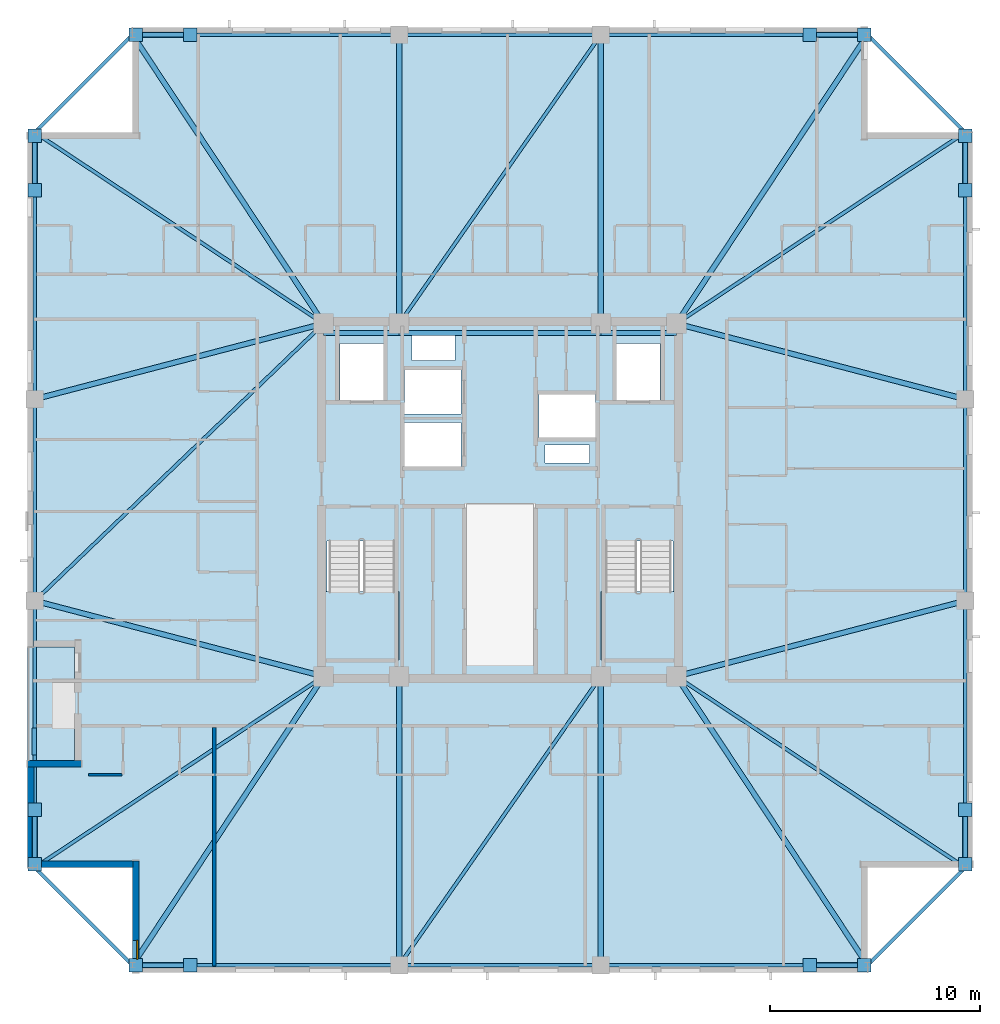
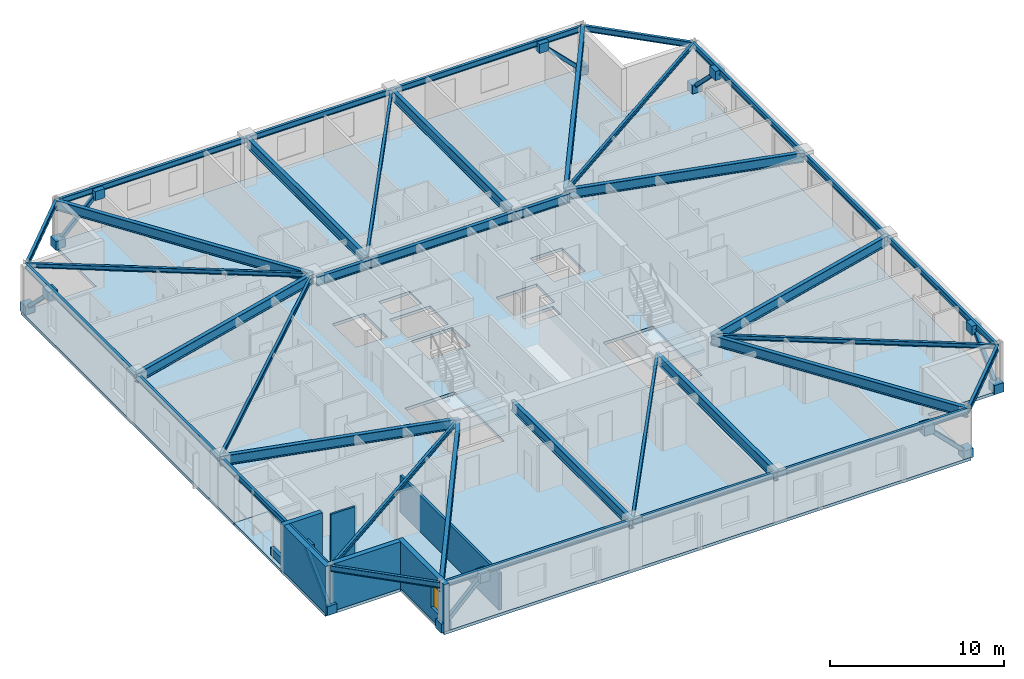
# One storey, part 6 of 17: 38 beams, 16 plates, 8 members, 7 walls, 4 slabs, 1 window, 1 opening, 2 elements without a shape of their own.
"""IFC4 building model written with IfcOpenShell, lengths in metres."""

from ifc_helpers import new_model, si_unit, direction, frame, frame_2d, origin, origin_2d, place, context, subcontext, project, spatial, polyline, rectangle, hollow_rectangle, i_section, outline, extrude, material, layer, layer_set, material_profile, profile_set, type_object, element, fill, aggregate, save


model = new_model("IFC4")

# Units and contexts
model_context = context("Model", 3, precision=1e-05, world=origin(), true_north=direction((0.0, 1.0)))
body_context = subcontext(model_context, "Body", "Model", "MODEL_VIEW")
ifc_project = project(units=[si_unit("LENGTHUNIT", "METRE"), si_unit("AREAUNIT", "SQUARE_METRE"), si_unit("VOLUMEUNIT", "CUBIC_METRE"), si_unit("PLANEANGLEUNIT", "RADIAN"), si_unit("MASSUNIT", "GRAM", prefix="KILO")], contexts=[model_context])

# Site, building, storey
site_placement = place(None, origin())
site = spatial("IfcSite", under=ifc_project, at=site_placement, CompositionType="ELEMENT")
building_placement = place(site_placement, origin())
building = spatial("IfcBuilding", under=site, at=building_placement, Name="Cairnveth Concourse Tower", CompositionType="ELEMENT")
storey_placement = place(building_placement, frame((0.0, 0.0, 248.0)))
storey = spatial("IfcBuildingStorey", under=building, at=storey_placement, Name="L68", CompositionType="ELEMENT", Elevation=248.0)

# Beams
ifc_material_1 = material(Name="Steel Grade 350", Category="steel")
ifc_material_profile_1 = material_profile(ifc_material_1, i_section(OverallWidth=0.22802734375, OverallDepth=0.60693359375, WebThickness=0.01123046875, FlangeThickness=0.017333984375, FilletRadius=0.013916015625, at=origin_2d()), Name="610UB113")
ifc_profile_set_1 = profile_set([ifc_material_profile_1], Name="Steel Grade 350")
beam_type_1 = type_object("IfcBeamType", Name="CORE TIE BEAM 610UB113", PredefinedType="T_BEAM", material=ifc_profile_set_1)
for number, where, z_axis, x_axis, name in (
    (1, (43.60009765625, 46.949951171875, 2.986572265625), (1.0, 0.0, 0.0), (0.0, 1.0, 0.0), "Beam CT-N1 L68"),
    (2, (56.800048828125, 46.949951171875, 2.986572265625), (1.0, 0.0, 0.0), (0.0, 1.0, 0.0), "Beam CT-N3 L68"),
):
    element("IfcBeam", number, at=place(storey_placement, frame(where, z_axis=z_axis, x_axis=x_axis)), inside=storey, type_object=beam_type_1, Name=name, PredefinedType="T_BEAM", context=body_context, shape_type="SweptSolid", body=[
        extrude(i_section(OverallWidth=0.22802734375, OverallDepth=0.60693359375, WebThickness=0.01123046875, FlangeThickness=0.017333984375, FilletRadius=0.013916015625, at=origin_2d()), origin(), (0.0, 0.0, 1.0), 3.599853515625),
    ])
beam_1_placement = place(storey_placement, frame((47.199951171875, 46.949951171875, 2.986572265625), z_axis=(1.0, 0.0, 0.0), x_axis=(0.0, 1.0, 0.0)))
element("IfcBeam", 3, at=beam_1_placement, inside=storey, type_object=beam_type_1, Name="Beam CT-N2 L68", PredefinedType="T_BEAM", context=body_context, shape_type="SweptSolid", body=[
    extrude(i_section(OverallWidth=0.22802734375, OverallDepth=0.60693359375, WebThickness=0.01123046875, FlangeThickness=0.017333984375, FilletRadius=0.013916015625, at=origin_2d()), origin(), (0.0, 0.0, 1.0), 9.60009765625),
])
ifc_material_profile_2 = material_profile(ifc_material_1, i_section(OverallWidth=0.166015625, OverallDepth=0.306884765625, WebThickness=0.006591796875, FlangeThickness=0.01171875, FilletRadius=0.010986328125, at=origin_2d()), Name="310UB46.2")
ifc_profile_set_2 = profile_set([ifc_material_profile_2], Name="Steel Grade 350")
beam_type_2 = type_object("IfcBeamType", Name="ZONE 3 FLOOR JOIST 310UB46.2", PredefinedType="JOIST", material=ifc_profile_set_2)
for number, where, z_axis, x_axis, name in (
    (4, (29.85009765625, 21.5, 3.136474609375), (0.833908956207, 0.551902031848, 0.0), (-0.551902031848, 0.833908956207, 0.0), "Beam FJ-CSW2 L68"),
    (5, (74.14990234375, 21.5, 3.136474609375), (-0.833908956207, 0.551902031848, 0.0), (-0.551902031848, -0.833908956207, 0.0), "Beam FJ-CSE2 L68"),
    (6, (74.14990234375, 56.5, 3.136474609375), (-0.833908956207, -0.551902031848, 0.0), (0.551902031848, -0.833908956207, 0.0), "Beam FJ-CNE2 L68"),
    (7, (29.85009765625, 56.5, 3.136474609375), (0.833908956207, -0.551902031848, 0.0), (0.551902031848, 0.833908956207, 0.0), "Beam FJ-CNW2 L68"),
):
    element("IfcBeam", number, at=place(storey_placement, frame(where, z_axis=z_axis, x_axis=x_axis)), inside=storey, type_object=beam_type_2, Name=name, PredefinedType="JOIST", context=body_context, shape_type="SweptSolid", body=[
        extrude(i_section(OverallWidth=0.166015625, OverallDepth=0.306884765625, WebThickness=0.006591796875, FlangeThickness=0.01171875, FilletRadius=0.010986328125, at=origin_2d()), origin(), (0.0, 0.0, 1.0), 16.488525390625),
    ])
for number, where, z_axis, x_axis, name in (
    (8, (47.199951171875, 16.85009765625, 3.136474609375), (0.572465304893, 0.819928944905, 0.0), (-0.819928944905, 0.572465304893, 0.0), "Beam FJ-S-M1 L68"),
    (9, (47.199951171875, 47.39990234375, 3.136474609375), (0.572465304893, 0.819928944905, 0.0), (-0.819928944905, 0.572465304893, 0.0), "Beam FJ-N-M1 L68"),
):
    element("IfcBeam", number, at=place(storey_placement, frame(where, z_axis=z_axis, x_axis=x_axis)), inside=storey, type_object=beam_type_2, Name=name, PredefinedType="JOIST", context=body_context, shape_type="SweptSolid", body=[
        extrude(i_section(OverallWidth=0.166015625, OverallDepth=0.306884765625, WebThickness=0.006591796875, FlangeThickness=0.01171875, FilletRadius=0.010986328125, at=origin_2d()), origin(), (0.0, 0.0, 1.0), 16.769775390625),
    ])
beam_2_placement = place(storey_placement, frame((29.85009765625, 34.199951171875, 3.136474609375), z_axis=(0.721388600838, 0.692530495055, 0.0), x_axis=(-0.692530495055, 0.721388600838, 0.0)))
element("IfcBeam", 10, at=beam_2_placement, inside=storey, type_object=beam_type_2, Name="Beam FJ-W-M1 L68", PredefinedType="JOIST", context=body_context, shape_type="SweptSolid", body=[
    extrude(i_section(OverallWidth=0.166015625, OverallDepth=0.306884765625, WebThickness=0.006591796875, FlangeThickness=0.01171875, FilletRadius=0.010986328125, at=origin_2d()), origin(), (0.0, 0.0, 1.0), 19.060546875),
])

# Members
ifc_material_2 = material(Name="Steel C350L0 (350 MPa)", Category="steel")
ifc_material_profile_3 = material_profile(ifc_material_2, hollow_rectangle(XDim=0.25, YDim=0.25, WallThickness=0.012451171875, InnerFilletRadius=0.012939453125, OuterFilletRadius=0.02490234375, at=origin_2d()), Name="250x250x12.5SHS")
ifc_profile_set_3 = profile_set([ifc_material_profile_3], Name="Steel C350L0 (350 MPa)")
member_type = type_object("IfcMemberType", Name="ZONE 3 PIER BRACE 250X250X12.5SHS", PredefinedType="BRACE", material=ifc_profile_set_3)
for number, where, z_axis, x_axis, name in (
    (11, (34.64990234375, 16.85009765625, 0.25), (0.708469186186, 0.0, 0.705741746126), (0.0, 1.0, 0.0), "Structural Brace PB-S1 L68"),
    (12, (69.35009765625, 16.85009765625, 0.25), (-0.708469186186, 0.0, 0.705741746126), (0.0, -1.0, 0.0), "Structural Brace PB-S2 L68"),
    (13, (34.64990234375, 61.14990234375, 0.25), (0.708469186186, 0.0, 0.705741746126), (0.0, 1.0, 0.0), "Structural Brace PB-N1 L68"),
    (14, (69.35009765625, 61.14990234375, 0.25), (-0.708469186186, 0.0, 0.705741746126), (0.0, -1.0, 0.0), "Structural Brace PB-N2 L68"),
    (15, (29.85009765625, 21.64990234375, 0.25), (0.0, 0.708469186186, 0.705741746126), (-1.0, 0.0, 0.0), "Structural Brace PB-W1 L68"),
    (16, (29.85009765625, 56.35009765625, 0.25), (0.0, -0.708469186186, 0.705741746126), (1.0, 0.0, 0.0), "Structural Brace PB-W2 L68"),
    (17, (74.14990234375, 21.64990234375, 0.25), (0.0, 0.708469186186, 0.705741746126), (-1.0, 0.0, 0.0), "Structural Brace PB-E1 L68"),
    (18, (74.14990234375, 56.35009765625, 0.25), (0.0, -0.708469186186, 0.705741746126), (1.0, 0.0, 0.0), "Structural Brace PB-E2 L68"),
):
    element("IfcMember", number, at=place(storey_placement, frame(where, z_axis=z_axis, x_axis=x_axis)), inside=storey, type_object=member_type, Name=name, PredefinedType="BRACE", context=body_context, shape_type="SweptSolid", body=[
        extrude(hollow_rectangle(XDim=0.25, YDim=0.25, WallThickness=0.012451171875, InnerFilletRadius=0.012939453125, OuterFilletRadius=0.02490234375, at=origin_2d()), origin(), (0.0, 0.0, 1.0), 3.669921875),
    ])

# Beams
ifc_material_profile_4 = material_profile(ifc_material_1, i_section(OverallWidth=0.25, OverallDepth=0.69189453125, WebThickness=0.010009765625, FlangeThickness=0.02490234375, at=origin_2d()), Name="700WB150")
ifc_profile_set_4 = profile_set([ifc_material_profile_4], Name="Steel Grade 350")
beam_type_3 = type_object("IfcBeamType", Name="ZONE 3 RADIAL GIRDER 700WB150", PredefinedType="BEAM", material=ifc_profile_set_4)
for number, where, z_axis, x_axis, name in (
    (19, (47.199951171875, 16.85009765625, 2.944091796875), (0.0, 1.0, 0.0), (-1.0, 0.0, 0.0), "Beam RG-S1 L68"),
    (20, (56.800048828125, 16.85009765625, 2.944091796875), (0.0, 1.0, 0.0), (-1.0, 0.0, 0.0), "Beam RG-S2 L68"),
    (21, (47.199951171875, 47.39990234375, 2.944091796875), (0.0, 1.0, 0.0), (-1.0, 0.0, 0.0), "Beam RG-N1 L68"),
    (22, (56.800048828125, 47.39990234375, 2.944091796875), (0.0, 1.0, 0.0), (-1.0, 0.0, 0.0), "Beam RG-N2 L68"),
):
    element("IfcBeam", number, at=place(storey_placement, frame(where, z_axis=z_axis, x_axis=x_axis)), inside=storey, type_object=beam_type_3, Name=name, PredefinedType="BEAM", context=body_context, shape_type="SweptSolid", body=[
        extrude(i_section(OverallWidth=0.25, OverallDepth=0.69189453125, WebThickness=0.010009765625, FlangeThickness=0.02490234375, at=origin_2d()), origin(), (0.0, 0.0, 1.0), 13.75),
    ])
for number, where, z_axis, x_axis, name in (
    (23, (29.85009765625, 34.199951171875, 2.944091796875), (0.967395273598, -0.253271365575, 0.0), (0.253271365575, 0.967395273598, 0.0), "Beam RG-W1 L68"),
    (24, (29.85009765625, 43.800048828125, 2.944091796875), (0.967395273598, 0.253271365575, 0.0), (-0.253271365575, 0.967395273598, 0.0), "Beam RG-W2 L68"),
    (25, (60.39990234375, 30.60009765625, 2.944091796875), (0.967395273598, 0.253271365575, 0.0), (-0.253271365575, 0.967395273598, 0.0), "Beam RG-E1 L68"),
    (26, (60.39990234375, 47.39990234375, 2.944091796875), (0.967395273598, -0.253271365575, 0.0), (0.253271365575, 0.967395273598, 0.0), "Beam RG-E2 L68"),
):
    element("IfcBeam", number, at=place(storey_placement, frame(where, z_axis=z_axis, x_axis=x_axis)), inside=storey, type_object=beam_type_3, Name=name, PredefinedType="BEAM", context=body_context, shape_type="SweptSolid", body=[
        extrude(i_section(OverallWidth=0.25, OverallDepth=0.69189453125, WebThickness=0.010009765625, FlangeThickness=0.02490234375, at=origin_2d()), origin(), (0.0, 0.0, 1.0), 14.21337890625),
    ])
for number, where, z_axis, x_axis, name in (
    (27, (34.5, 16.85009765625, 2.944091796875), (0.551902031848, 0.833908956207, 0.0), (-0.833908956207, 0.551902031848, 0.0), "Beam RG-CSW L68"),
    (28, (69.5, 16.85009765625, 2.944091796875), (-0.551902031848, 0.833908956207, 0.0), (-0.833908956207, -0.551902031848, 0.0), "Beam RG-CSE L68"),
    (29, (69.5, 61.14990234375, 2.944091796875), (-0.551902031848, -0.833908956207, 0.0), (0.833908956207, -0.551902031848, 0.0), "Beam RG-CNE L68"),
    (30, (34.5, 61.14990234375, 2.944091796875), (0.551902031848, -0.833908956207, 0.0), (0.833908956207, 0.551902031848, 0.0), "Beam RG-CNW L68"),
):
    element("IfcBeam", number, at=place(storey_placement, frame(where, z_axis=z_axis, x_axis=x_axis)), inside=storey, type_object=beam_type_3, Name=name, PredefinedType="BEAM", context=body_context, shape_type="SweptSolid", body=[
        extrude(i_section(OverallWidth=0.25, OverallDepth=0.69189453125, WebThickness=0.010009765625, FlangeThickness=0.02490234375, at=origin_2d()), origin(), (0.0, 0.0, 1.0), 16.488525390625),
    ])
ifc_material_profile_5 = material_profile(ifc_material_1, i_section(OverallWidth=0.177978515625, OverallDepth=0.406005859375, WebThickness=0.0078125, FlangeThickness=0.0126953125, FilletRadius=0.010986328125, at=origin_2d()), Name="410UB59.7")
ifc_profile_set_5 = profile_set([ifc_material_profile_5], Name="Steel Grade 350")
beam_type_4 = type_object("IfcBeamType", Name="ZONE 3 SPANDREL BEAM 410UB59.7", PredefinedType="SPANDREL", material=ifc_profile_set_5)
beam_3_placement = place(storey_placement, frame((34.5, 16.85009765625, 3.0869140625), z_axis=(1.0, 0.0, 0.0), x_axis=(0.0, 1.0, 0.0)))
element("IfcBeam", 31, at=beam_3_placement, inside=storey, type_object=beam_type_4, Name="Beam SP-S1 L68", PredefinedType="SPANDREL", context=body_context, shape_type="SweptSolid", body=[
    extrude(i_section(OverallWidth=0.177978515625, OverallDepth=0.406005859375, WebThickness=0.0078125, FlangeThickness=0.0126953125, FilletRadius=0.010986328125, at=origin_2d()), origin(), (0.0, 0.0, 1.0), 12.699951171875),
])
beam_4_placement = place(storey_placement, frame((47.199951171875, 16.85009765625, 3.0869140625), z_axis=(1.0, 0.0, 0.0), x_axis=(0.0, 1.0, 0.0)))
element("IfcBeam", 32, at=beam_4_placement, inside=storey, type_object=beam_type_4, Name="Beam SP-S2 L68", PredefinedType="SPANDREL", context=body_context, shape_type="SweptSolid", body=[
    extrude(i_section(OverallWidth=0.177978515625, OverallDepth=0.406005859375, WebThickness=0.0078125, FlangeThickness=0.0126953125, FilletRadius=0.010986328125, at=origin_2d()), origin(), (0.0, 0.0, 1.0), 9.60009765625),
])
for number, where, z_axis, x_axis, name in (
    (33, (56.800048828125, 16.85009765625, 3.0869140625), (1.0, 0.0, 0.0), (0.0, 1.0, 0.0), "Beam SP-S3 L68"),
    (34, (34.5, 61.14990234375, 3.0869140625), (1.0, 0.0, 0.0), (0.0, 1.0, 0.0), "Beam SP-N1 L68"),
):
    element("IfcBeam", number, at=place(storey_placement, frame(where, z_axis=z_axis, x_axis=x_axis)), inside=storey, type_object=beam_type_4, Name=name, PredefinedType="SPANDREL", context=body_context, shape_type="SweptSolid", body=[
        extrude(i_section(OverallWidth=0.177978515625, OverallDepth=0.406005859375, WebThickness=0.0078125, FlangeThickness=0.0126953125, FilletRadius=0.010986328125, at=origin_2d()), origin(), (0.0, 0.0, 1.0), 12.699951171875),
    ])
beam_5_placement = place(storey_placement, frame((47.199951171875, 61.14990234375, 3.0869140625), z_axis=(1.0, 0.0, 0.0), x_axis=(0.0, 1.0, 0.0)))
element("IfcBeam", 35, at=beam_5_placement, inside=storey, type_object=beam_type_4, Name="Beam SP-N2 L68", PredefinedType="SPANDREL", context=body_context, shape_type="SweptSolid", body=[
    extrude(i_section(OverallWidth=0.177978515625, OverallDepth=0.406005859375, WebThickness=0.0078125, FlangeThickness=0.0126953125, FilletRadius=0.010986328125, at=origin_2d()), origin(), (0.0, 0.0, 1.0), 9.60009765625),
])
for number, where, z_axis, x_axis, name in (
    (36, (56.800048828125, 61.14990234375, 3.0869140625), (1.0, 0.0, 0.0), (0.0, 1.0, 0.0), "Beam SP-N3 L68"),
    (37, (29.85009765625, 21.5, 3.0869140625), (0.0, 1.0, 0.0), (-1.0, 0.0, 0.0), "Beam SP-W1 L68"),
):
    element("IfcBeam", number, at=place(storey_placement, frame(where, z_axis=z_axis, x_axis=x_axis)), inside=storey, type_object=beam_type_4, Name=name, PredefinedType="SPANDREL", context=body_context, shape_type="SweptSolid", body=[
        extrude(i_section(OverallWidth=0.177978515625, OverallDepth=0.406005859375, WebThickness=0.0078125, FlangeThickness=0.0126953125, FilletRadius=0.010986328125, at=origin_2d()), origin(), (0.0, 0.0, 1.0), 12.699951171875),
    ])
beam_6_placement = place(storey_placement, frame((29.85009765625, 34.199951171875, 3.0869140625), z_axis=(0.0, 1.0, 0.0), x_axis=(-1.0, 0.0, 0.0)))
element("IfcBeam", 38, at=beam_6_placement, inside=storey, type_object=beam_type_4, Name="Beam SP-W2 L68", PredefinedType="SPANDREL", context=body_context, shape_type="SweptSolid", body=[
    extrude(i_section(OverallWidth=0.177978515625, OverallDepth=0.406005859375, WebThickness=0.0078125, FlangeThickness=0.0126953125, FilletRadius=0.010986328125, at=origin_2d()), origin(), (0.0, 0.0, 1.0), 9.60009765625),
])
for number, where, z_axis, x_axis, name in (
    (39, (29.85009765625, 43.800048828125, 3.0869140625), (0.0, 1.0, 0.0), (-1.0, 0.0, 0.0), "Beam SP-W3 L68"),
    (40, (74.14990234375, 21.5, 3.0869140625), (0.0, 1.0, 0.0), (-1.0, 0.0, 0.0), "Beam SP-E1 L68"),
):
    element("IfcBeam", number, at=place(storey_placement, frame(where, z_axis=z_axis, x_axis=x_axis)), inside=storey, type_object=beam_type_4, Name=name, PredefinedType="SPANDREL", context=body_context, shape_type="SweptSolid", body=[
        extrude(i_section(OverallWidth=0.177978515625, OverallDepth=0.406005859375, WebThickness=0.0078125, FlangeThickness=0.0126953125, FilletRadius=0.010986328125, at=origin_2d()), origin(), (0.0, 0.0, 1.0), 12.699951171875),
    ])
beam_7_placement = place(storey_placement, frame((74.14990234375, 34.199951171875, 3.0869140625), z_axis=(0.0, 1.0, 0.0), x_axis=(-1.0, 0.0, 0.0)))
element("IfcBeam", 41, at=beam_7_placement, inside=storey, type_object=beam_type_4, Name="Beam SP-E2 L68", PredefinedType="SPANDREL", context=body_context, shape_type="SweptSolid", body=[
    extrude(i_section(OverallWidth=0.177978515625, OverallDepth=0.406005859375, WebThickness=0.0078125, FlangeThickness=0.0126953125, FilletRadius=0.010986328125, at=origin_2d()), origin(), (0.0, 0.0, 1.0), 9.60009765625),
])
beam_8_placement = place(storey_placement, frame((74.14990234375, 43.800048828125, 3.0869140625), z_axis=(0.0, 1.0, 0.0), x_axis=(-1.0, 0.0, 0.0)))
element("IfcBeam", 42, at=beam_8_placement, inside=storey, type_object=beam_type_4, Name="Beam SP-E3 L68", PredefinedType="SPANDREL", context=body_context, shape_type="SweptSolid", body=[
    extrude(i_section(OverallWidth=0.177978515625, OverallDepth=0.406005859375, WebThickness=0.0078125, FlangeThickness=0.0126953125, FilletRadius=0.010986328125, at=origin_2d()), origin(), (0.0, 0.0, 1.0), 12.699951171875),
])
for number, where, z_axis, x_axis, name in (
    (43, (29.85009765625, 21.5, 3.0869140625), (0.707106781187, -0.707106781187, 0.0), (0.707106781187, 0.707106781187, 0.0), "Beam SP-SW L68"),
    (44, (69.5, 16.85009765625, 3.0869140625), (0.707106781187, 0.707106781187, 0.0), (-0.707106781187, 0.707106781187, 0.0), "Beam SP-SE L68"),
    (45, (69.5, 61.14990234375, 3.0869140625), (0.707106781187, -0.707106781187, 0.0), (0.707106781187, 0.707106781187, 0.0), "Beam SP-NE L68"),
    (46, (29.85009765625, 56.5, 3.0869140625), (0.707106781187, 0.707106781187, 0.0), (-0.707106781187, 0.707106781187, 0.0), "Beam SP-NW L68"),
):
    element("IfcBeam", number, at=place(storey_placement, frame(where, z_axis=z_axis, x_axis=x_axis)), inside=storey, type_object=beam_type_4, Name=name, PredefinedType="SPANDREL", context=body_context, shape_type="SweptSolid", body=[
        extrude(i_section(OverallWidth=0.177978515625, OverallDepth=0.406005859375, WebThickness=0.0078125, FlangeThickness=0.0126953125, FilletRadius=0.010986328125, at=origin_2d()), origin(), (0.0, 0.0, 1.0), 6.575927734375),
    ])

# Plates
ifc_layer_1 = layer(ifc_material_1, 0.031982421875)
ifc_layer_set_1 = layer_set([ifc_layer_1], Name="Steel Grade 350")
plate_type = type_object("IfcPlateType", Name="PERIMETER BRACE GUSSET PLATE 32", PredefinedType="USERDEFINED", material=ifc_layer_set_1)
for number, where, z_axis, x_axis, name in (
    (47, (34.64990234375, 16.85009765625, -0.06982421875), (0.0, 0.0, 1.0), (1.0, 0.0, 0.0), "Structural Node Plate 1173 L68"),
    (48, (37.25, 16.85009765625, 2.52001953125), (0.0, 0.0, 1.0), (1.0, 0.0, 0.0), "Structural Node Plate 1174 L68"),
    (49, (69.35009765625, 16.85009765625, -0.06982421875), (0.0, 0.0, 1.0), (1.0, 0.0, 0.0), "Structural Node Plate 1175 L68"),
    (50, (66.75, 16.85009765625, 2.52001953125), (0.0, 0.0, 1.0), (1.0, 0.0, 0.0), "Structural Node Plate 1176 L68"),
    (51, (34.64990234375, 61.14990234375, -0.06982421875), (0.0, 0.0, 1.0), (1.0, 0.0, 0.0), "Structural Node Plate 1177 L68"),
    (52, (37.25, 61.14990234375, 2.52001953125), (0.0, 0.0, 1.0), (1.0, 0.0, 0.0), "Structural Node Plate 1178 L68"),
    (53, (69.35009765625, 61.14990234375, -0.06982421875), (0.0, 0.0, 1.0), (1.0, 0.0, 0.0), "Structural Node Plate 1179 L68"),
    (54, (66.75, 61.14990234375, 2.52001953125), (0.0, 0.0, 1.0), (1.0, 0.0, 0.0), "Structural Node Plate 1180 L68"),
    (55, (29.85009765625, 21.64990234375, -0.06982421875), (0.0, 0.0, 1.0), (1.0, 0.0, 0.0), "Structural Node Plate 1181 L68"),
    (56, (29.85009765625, 24.25, 2.52001953125), (0.0, 0.0, 1.0), (1.0, 0.0, 0.0), "Structural Node Plate 1182 L68"),
    (57, (29.85009765625, 56.35009765625, -0.06982421875), (0.0, 0.0, 1.0), (1.0, 0.0, 0.0), "Structural Node Plate 1183 L68"),
    (58, (29.85009765625, 53.75, 2.52001953125), (0.0, 0.0, 1.0), (1.0, 0.0, 0.0), "Structural Node Plate 1184 L68"),
    (59, (74.14990234375, 21.64990234375, -0.06982421875), (0.0, 0.0, 1.0), (1.0, 0.0, 0.0), "Structural Node Plate 1185 L68"),
    (60, (74.14990234375, 24.25, 2.52001953125), (0.0, 0.0, 1.0), (1.0, 0.0, 0.0), "Structural Node Plate 1186 L68"),
    (61, (74.14990234375, 56.35009765625, -0.06982421875), (0.0, 0.0, 1.0), (1.0, 0.0, 0.0), "Structural Node Plate 1187 L68"),
    (62, (74.14990234375, 53.75, 2.52001953125), (0.0, 0.0, 1.0), (1.0, 0.0, 0.0), "Structural Node Plate 1188 L68"),
):
    element("IfcPlate", number, at=place(storey_placement, frame(where, z_axis=z_axis, x_axis=x_axis)), inside=storey, type_object=plate_type, Name=name, ObjectType="GUSSET PLATE", PredefinedType="USERDEFINED", context=body_context, shape_type="SweptSolid", body=[
        extrude(rectangle(XDim=0.639892578125, YDim=0.639892578125, at=origin_2d()), origin(), (0.0, 0.0, 1.0), 0.639892578125),
    ])

# Slab
ifc_material_3 = material(Name="Concrete N50 (50 MPa)", Category="concrete")
ifc_layer_2 = layer(ifc_material_3, 0.18994140625)
ifc_layer_set_2 = layer_set([ifc_layer_2], Name="Concrete N50 (50 MPa)")
slab_type_1 = type_object("IfcSlabType", Name="SPIRAL OUTDOOR TERRACE SLAB 190", PredefinedType="FLOOR", material=ifc_layer_set_2)
slab_1_placement = place(storey_placement, frame((0.0, 0.0, -0.18994140625)))
element("IfcSlab", 63, at=slab_1_placement, inside=storey, type_object=slab_type_1, Name="Spiral Terrace Slab L68", PredefinedType="FLOOR", context=body_context, shape_type="SweptSolid", body=[
    extrude(outline(polyline([(29.5, 26.60009765625), (31.75, 26.60009765625), (31.75, 32.0), (29.5, 32.0), (29.5, 26.60009765625)])), origin(), (0.0, 0.0, 1.0), 0.18994140625),
])

# Stair, slab
ifc_material_4 = material(Name="Precast concrete N50 (50 MPa)", Category="concrete")
stair_type = type_object("IfcStairType", Name="CORE DOG-LEG FIRE STAIR 1500", PredefinedType="HALF_TURN_STAIR", material=ifc_material_4)
stair_1_placement = place(storey_placement, origin())
stair_1 = element("IfcStair", 64, at=stair_1_placement, inside=storey, type_object=stair_type, Name="L68 Fire-Isolated Stair ST-1", PredefinedType="HALF_TURN_STAIR")
ifc_layer_3 = layer(ifc_material_3, 0.199951171875)
ifc_layer_set_3 = layer_set([ifc_layer_3], Name="Concrete N50 (50 MPa)")
slab_type_2 = type_object("IfcSlabType", Name="STAIR HALF LANDING SLAB 200", PredefinedType="LANDING", material=ifc_layer_set_3)
slab_2_placement = place(storey_placement, frame((0.0, 0.0, 1.550048828125)))
slab_2 = element("IfcSlab", 65, at=slab_2_placement, type_object=slab_type_2, Name="ST-1 landing 1", PredefinedType="LANDING", context=body_context, shape_type="SweptSolid", body=[
    extrude(outline(polyline([(43.6201171875, 34.639892578125), (43.6201171875, 31.3701171875), (47.199951171875, 31.3701171875), (47.199951171875, 34.639892578125), (43.6201171875, 34.639892578125)])), origin(), (0.0, 0.0, 1.0), 0.199951171875),
])
aggregate(stair_1, [slab_2])

stair_2_placement = place(storey_placement, origin())
stair_2 = element("IfcStair", 66, at=stair_2_placement, inside=storey, type_object=stair_type, Name="L68 Fire-Isolated Stair ST-2", PredefinedType="HALF_TURN_STAIR")
slab_3_placement = place(storey_placement, frame((0.0, 0.0, 1.550048828125)))
slab_3 = element("IfcSlab", 67, at=slab_3_placement, type_object=slab_type_2, Name="ST-2 landing 1", PredefinedType="LANDING", context=body_context, shape_type="SweptSolid", body=[
    extrude(outline(polyline([(56.800048828125, 34.639892578125), (56.800048828125, 31.3701171875), (60.3798828125, 31.3701171875), (60.3798828125, 34.639892578125), (56.800048828125, 34.639892578125)])), origin(), (0.0, 0.0, 1.0), 0.199951171875),
])
aggregate(stair_2, [slab_3])

# Slab
ifc_layer_4 = layer(ifc_material_3, 0.2099609375)
ifc_layer_set_4 = layer_set([ifc_layer_4], Name="Concrete N50 (50 MPa)")
slab_type_3 = type_object("IfcSlabType", Name="UPPER TOWER COMPOSITE SLAB 210", PredefinedType="FLOOR", material=ifc_layer_set_4)
slab_4_placement = place(storey_placement, frame((0.0, 0.0, -0.2099609375)))
element("IfcSlab", 68, at=slab_4_placement, inside=storey, type_object=slab_type_3, Name="Tower Floor Slab L68", PredefinedType="FLOOR", context=body_context, shape_type="SweptSolid", body=[
    extrude(outline(polyline([(29.5, 32.0), (31.75, 32.0), (31.75, 26.60009765625), (29.5, 26.60009765625), (29.5, 21.5), (34.5, 21.5), (34.5, 16.5), (69.5, 16.5), (69.5, 21.5), (74.5, 21.5), (74.5, 56.5), (69.5, 56.5), (69.5, 61.5), (34.5, 61.5), (34.5, 56.5), (29.5, 56.5), (29.5, 32.0)]), holes=[polyline([(43.760009765625, 31.360107421875), (47.06005859375, 31.360107421875), (47.06005859375, 37.0400390625), (43.760009765625, 37.0400390625), (43.760009765625, 31.360107421875)]), polyline([(56.93994140625, 31.360107421875), (60.239990234375, 31.360107421875), (60.239990234375, 37.0400390625), (56.93994140625, 37.0400390625), (56.93994140625, 31.360107421875)]), polyline([(44.3701171875, 43.75), (46.469970703125, 43.75), (46.469970703125, 46.449951171875), (44.3701171875, 46.449951171875), (44.3701171875, 43.75)]), polyline([(57.530029296875, 43.75), (59.6298828125, 43.75), (59.6298828125, 46.449951171875), (57.530029296875, 46.449951171875), (57.530029296875, 43.75)]), polyline([(47.449951171875, 40.60009765625), (50.14990234375, 40.60009765625), (50.14990234375, 42.699951171875), (47.449951171875, 42.699951171875), (47.449951171875, 40.60009765625)]), polyline([(47.449951171875, 43.10009765625), (50.14990234375, 43.10009765625), (50.14990234375, 45.199951171875), (47.449951171875, 45.199951171875), (47.449951171875, 43.10009765625)]), polyline([(53.85009765625, 41.949951171875), (56.550048828125, 41.949951171875), (56.550048828125, 44.050048828125), (53.85009765625, 44.050048828125), (53.85009765625, 41.949951171875)]), polyline([(47.800048828125, 45.64990234375), (49.85009765625, 45.64990234375), (49.85009765625, 47.050048828125), (47.800048828125, 47.050048828125), (47.800048828125, 45.64990234375)]), polyline([(54.14990234375, 40.75), (56.25, 40.75), (56.25, 41.6201171875), (54.14990234375, 41.6201171875), (54.14990234375, 40.75)])]), origin(), (0.0, 0.0, 1.0), 0.2099609375),
])

# Walls
ifc_material_5 = material(Name="Gypsum Plasterboard Partition", Category="gypsum")
ifc_layer_5 = layer(ifc_material_5, 0.159912109375)
ifc_layer_set_5 = layer_set([ifc_layer_5], Name="Gypsum Plasterboard Partition")
wall_type_1 = type_object("IfcWallType", Name="ACOUSTIC PARTY WALL 180", PredefinedType="PARTITIONING", material=ifc_layer_set_5)
wall_1_placement = place(storey_placement, frame((38.39453125, 16.804931640625, 0.0), z_axis=(0.0, 0.0, 1.0), x_axis=(0.0, 1.0, 0.0)))
element("IfcWall", 69, at=wall_1_placement, inside=storey, type_object=wall_type_1, Name="Interior Wall IW-L68-048", PredefinedType="PARTITIONING", context=body_context, shape_type="SweptSolid", body=[
    extrude(rectangle(XDim=11.36767578125, YDim=0.159912109375, at=frame_2d((5.683837890625, 0.0))), origin(), (0.0, 0.0, 1.0), 2.572998046875),
])
ifc_material_6 = material(Name="Dressed Melbourne Bluestone Cladding", Category="masonry")
ifc_layer_6 = layer(ifc_material_6, 0.219970703125)
ifc_layer_set_6 = layer_set([ifc_layer_6], Name="Dressed Melbourne Bluestone Cladding")
wall_type_2 = type_object("IfcWallType", Name="TERRACE PLANTER CURB WALL 220", PredefinedType="PARAPET", material=ifc_layer_set_6)
wall_2_placement = place(storey_placement, frame((29.820068359375, 26.85009765625, 0.0), z_axis=(0.0, 0.0, 1.0), x_axis=(0.0, 1.0, 0.0)))
element("IfcWall", 70, at=wall_2_placement, inside=storey, type_object=wall_type_2, Name="Exterior Wall PLNT-L68-TERR", PredefinedType="PARAPET", context=body_context, shape_type="SweptSolid", body=[
    extrude(rectangle(XDim=1.2998046875, YDim=0.219970703125, at=frame_2d((0.64990234375, 0.0))), origin(), (0.0, 0.0, 1.0), 0.550048828125),
])
ifc_layer_7 = layer(ifc_material_5, 0.1298828125)
ifc_layer_set_7 = layer_set([ifc_layer_7], Name="Gypsum Plasterboard Partition")
wall_type_3 = type_object("IfcWallType", Name="WET AREA PARTITION 140", PredefinedType="PLUMBINGWALL", material=ifc_layer_set_7)
wall_3_placement = place(storey_placement, frame((32.39990234375, 25.922607421875, 0.0), z_axis=(0.0, 0.0, 1.0), x_axis=(1.0, 0.0, 0.0)))
element("IfcWall", 71, at=wall_3_placement, inside=storey, type_object=wall_type_3, Name="Interior Wall IW-L68-045", PredefinedType="PLUMBINGWALL", context=body_context, shape_type="SweptSolid", body=[
    extrude(rectangle(XDim=1.60009765625, YDim=0.1298828125, at=frame_2d((0.800048828125, 0.0))), origin(), (0.0, 0.0, 1.0), 3.2900390625),
])

# Wall, opening, window
ifc_material_7 = material(Name="Melbourne Buff Fired Clay Brick Masonry", Category="masonry")
ifc_layer_8 = layer(ifc_material_7, 0.320068359375)
ifc_layer_set_8 = layer_set([ifc_layer_8], Name="Melbourne Buff Fired Clay Brick Masonry")
wall_type_4 = type_object("IfcWallType", Name="ZONE 3 BRICK PIER SPANDREL WALL 320", PredefinedType="SOLIDWALL", material=ifc_layer_set_8)
wall_4_placement = place(storey_placement, frame((34.659912109375, 16.5, 0.0), z_axis=(0.0, 0.0, 1.0), x_axis=(0.0, 1.0, 0.0)))
wall_4 = element("IfcWall", 72, at=wall_4_placement, inside=storey, type_object=wall_type_4, Name="Exterior Wall EW-L68-S10", PredefinedType="SOLIDWALL", context=body_context, shape_type="SweptSolid", body=[
    extrude(rectangle(XDim=5.320068359375, YDim=0.320068359375, at=frame_2d((2.66015625, 0.0))), origin(), (0.0, 0.0, 1.0), 3.2900390625),
])
opening_placement = place(wall_4_placement, frame((0.6298828125, 0.0, 0.800048828125)))
opening = element("IfcOpeningElement", 73, at=opening_placement, cuts=wall_4, Name="Opening W13", PredefinedType="OPENING", context=body_context, shape_type="SweptSolid", body=[
    extrude(rectangle(XDim=0.89990234375, YDim=1.677978515625, at=frame_2d((0.449951171875, 0.8388671875))), frame((0.0, 0.169921875, 0.0), z_axis=(0.0, -1.0, 0.0), x_axis=(1.0, 0.0, 0.0)), (0.0, 0.0, 1.0), 0.340087890625),
])
ifc_material_8 = material(Name="Double Glazed Low-E Clear Glass", Category="glass")
window_type = type_object("IfcWindowType", Name="DEEP-SET BEDROOM LANCET WINDOW 900X1750", PartitioningType="DOUBLE_PANEL_VERTICAL", PredefinedType="WINDOW", material=ifc_material_8)
window_placement = place(opening_placement, origin())
window = element("IfcWindow", 74, at=window_placement, inside=storey, type_object=window_type, Name="Dwelling Lancet Window L68-DW1", OverallHeight=1.677978515625, OverallWidth=0.89990234375, PartitioningType="SINGLE_PANEL", PredefinedType="WINDOW", context=body_context, shape_type="SweptSolid", body=[
    extrude(rectangle(XDim=0.89990234375, YDim=1.677978515625, at=frame_2d((0.449951171875, 0.8388671875))), frame((0.0, -0.0400390625, 0.0), z_axis=(0.0, -1.0, 0.0), x_axis=(1.0, 0.0, 0.0)), (0.0, 0.0, 1.0), 0.06005859375),
])
fill(opening, window)

# Walls
wall_5_placement = place(storey_placement, frame((34.52197265625, 21.659912109375, 0.0), z_axis=(0.0, 0.0, 1.0), x_axis=(-1.0, 0.0, 0.0)))
element("IfcWall", 75, at=wall_5_placement, inside=storey, type_object=wall_type_4, Name="Exterior Wall EW-L68-S11", PredefinedType="SOLIDWALL", context=body_context, shape_type="SweptSolid", body=[
    extrude(rectangle(XDim=4.723876953125, YDim=0.320068359375, at=frame_2d((2.36181640625, 0.0))), origin(), (0.0, 0.0, 1.0), 3.2900390625),
])
wall_6_placement = place(storey_placement, frame((29.659912109375, 21.5, 0.0), z_axis=(0.0, 0.0, 1.0), x_axis=(0.0, 1.0, 0.0)))
element("IfcWall", 76, at=wall_6_placement, inside=storey, type_object=wall_type_4, Name="Exterior Wall EW-L68-S12", PredefinedType="SOLIDWALL", context=body_context, shape_type="SweptSolid", body=[
    extrude(rectangle(XDim=4.802001953125, YDim=0.320068359375, at=frame_2d((2.40087890625, 0.0))), origin(), (0.0, 0.0, 1.0), 3.2900390625),
])
wall_7_placement = place(storey_placement, frame((29.5, 26.43994140625, 0.0), z_axis=(0.0, 0.0, 1.0), x_axis=(1.0, 0.0, 0.0)))
element("IfcWall", 77, at=wall_7_placement, inside=storey, type_object=wall_type_4, Name="Exterior Wall EW-L68-S13", PredefinedType="SOLIDWALL", context=body_context, shape_type="SweptSolid", body=[
    extrude(rectangle(XDim=2.570068359375, YDim=0.320068359375, at=frame_2d((1.28515625, 0.0))), origin(), (0.0, 0.0, 1.0), 3.2900390625),
])

save(model, "model.ifc")
